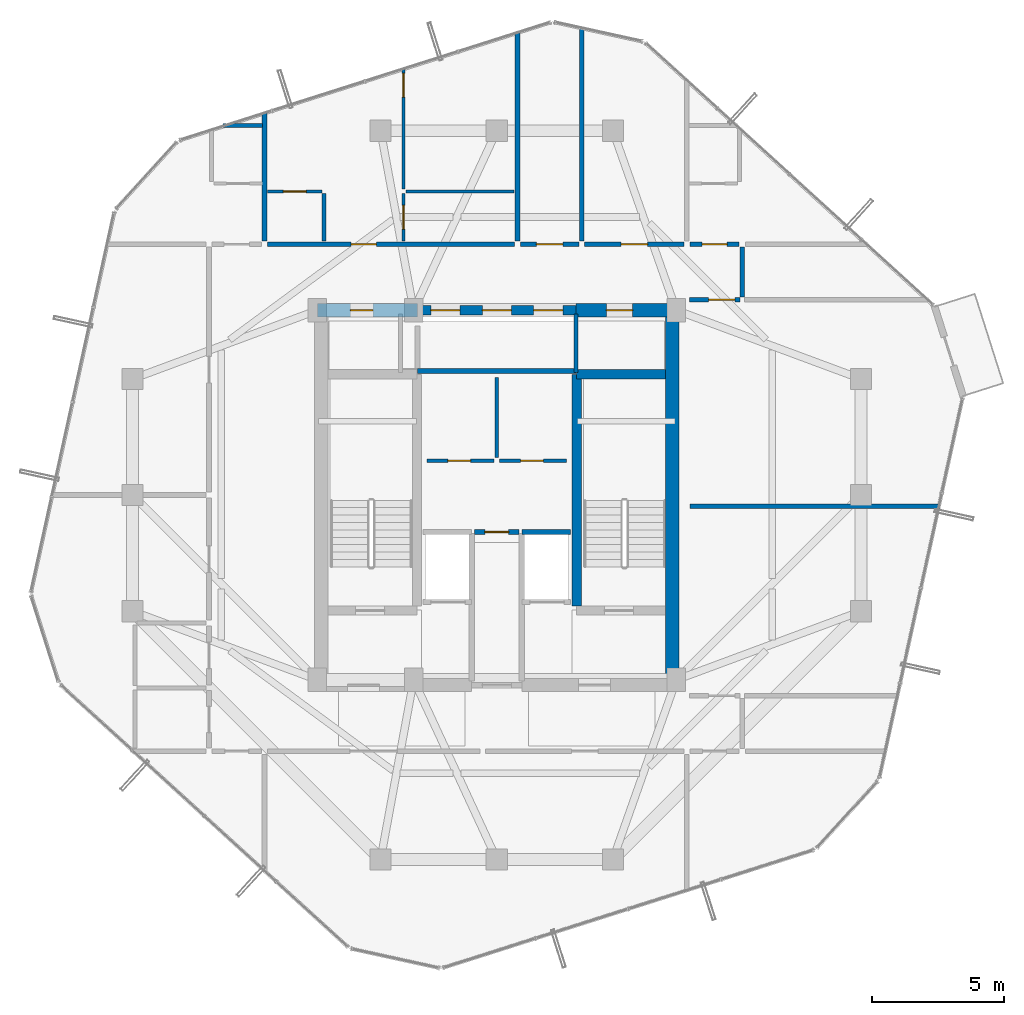
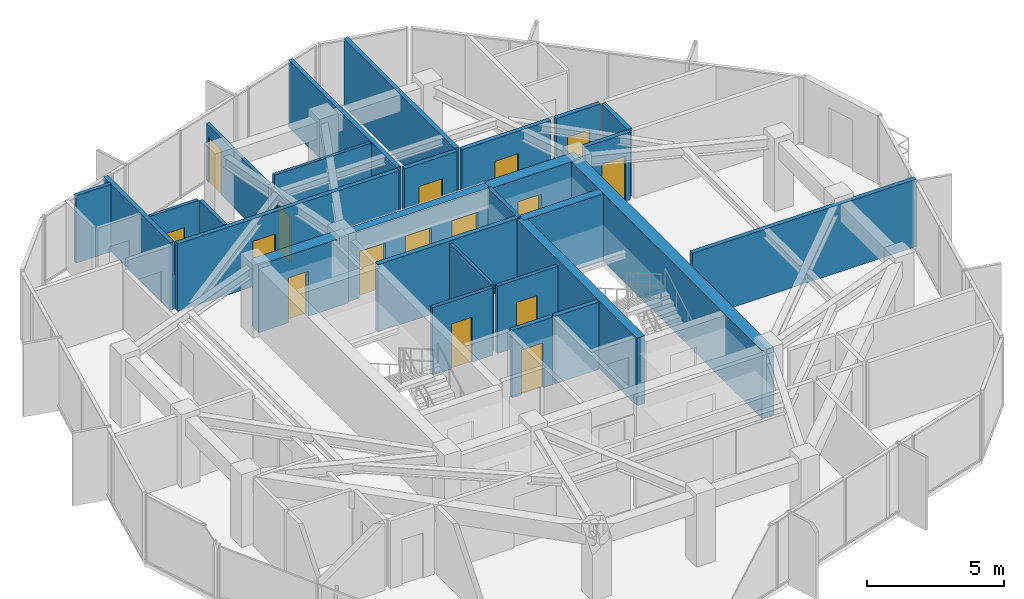
# One storey, part 25 of 28: 29 walls, 16 doors, 16 openings.
"""IFC4 building model written with IfcOpenShell, lengths in metres."""

from ifc_helpers import new_model, si_unit, direction, frame, frame_2d, origin, place, context, subcontext, project, spatial, rectangle, extrude, source, transform, mapped, material, layer, layer_set, type_object, element, fill, save


model = new_model("IFC4")

# Units and contexts
model_context = context("Model", 3, precision=1e-05, world=origin(), true_north=direction((0.0, 1.0)))
body_context = subcontext(model_context, "Body", "Model", "MODEL_VIEW")
ifc_project = project(units=[si_unit("LENGTHUNIT", "METRE"), si_unit("AREAUNIT", "SQUARE_METRE"), si_unit("VOLUMEUNIT", "CUBIC_METRE"), si_unit("PLANEANGLEUNIT", "RADIAN"), si_unit("MASSUNIT", "GRAM", prefix="KILO")], contexts=[model_context])

# Site, building, storey
site_placement = place(None, origin())
site = spatial("IfcSite", under=ifc_project, at=site_placement, CompositionType="ELEMENT")
building_placement = place(site_placement, origin())
building = spatial("IfcBuilding", under=site, at=building_placement, Name="Veraguas Prism Commons", CompositionType="ELEMENT")
storey_placement = place(building_placement, frame((0.0, 0.0, 251.25)))
storey = spatial("IfcBuildingStorey", under=building, at=storey_placement, Name="L71", CompositionType="ELEMENT", Elevation=251.25)

# Wall, openings, doors
ifc_material_1 = material(Name="Concrete C50/60", Category="concrete")
ifc_layer_1 = layer(ifc_material_1, 0.35009765625, Name="Core Internal Shear Wall Upper RC 350", Category="concrete")
ifc_layer_set_1 = layer_set([ifc_layer_1], Name="Concrete C50/60")
wall_type_1 = type_object("IfcWallType", Name="Core Internal Shear Wall Upper RC 350", PredefinedType="SHEAR", material=ifc_layer_set_1)
wall_1_placement = place(storey_placement, frame((21.0, 31.0, 0.0), z_axis=(0.0, 0.0, 1.0), x_axis=(1.0, 0.0, 0.0)))
wall_1 = element("IfcWall", 1, at=wall_1_placement, inside=storey, type_object=wall_type_1, Name="High-Rise Lift Bank Front Shear Wall L71", PredefinedType="SHEAR", context=body_context, shape_type="SweptSolid", body=[
    extrude(rectangle(XDim=6.0, YDim=0.35009765625, at=frame_2d((3.0, 0.0))), origin(), (0.0, 0.0, 1.0), 3.014892578125),
])
opening_1_placement = place(wall_1_placement, frame((0.5, 0.0, 0.0)))
opening_1 = element("IfcOpeningElement", 2, at=opening_1_placement, cuts=wall_1, Name="Opening LD-01", PredefinedType="OPENING", context=body_context, shape_type="SweptSolid", body=[
    extrude(rectangle(XDim=1.10009765625, YDim=2.080078125, at=frame_2d((0.550048828125, 1.0400390625))), frame((0.0, 0.18505859375, 0.0), z_axis=(0.0, -1.0, 0.0), x_axis=(1.0, 0.0, 0.0)), (0.0, 0.0, 1.0), 0.3701171875),
])
opening_2_placement = place(wall_1_placement, frame((2.449951171875, 0.0, 0.0)))
opening_2 = element("IfcOpeningElement", 3, at=opening_2_placement, cuts=wall_1, Name="Opening LD-01", PredefinedType="OPENING", context=body_context, shape_type="SweptSolid", body=[
    extrude(rectangle(XDim=1.10009765625, YDim=2.080078125, at=frame_2d((0.550048828125, 1.0400390625))), frame((0.0, 0.18505859375, 0.0), z_axis=(0.0, -1.0, 0.0), x_axis=(1.0, 0.0, 0.0)), (0.0, 0.0, 1.0), 0.3701171875),
])
opening_3_placement = place(wall_1_placement, frame((4.39990234375, 0.0, 0.0)))
opening_3 = element("IfcOpeningElement", 4, at=opening_3_placement, cuts=wall_1, Name="Opening LD-01", PredefinedType="OPENING", context=body_context, shape_type="SweptSolid", body=[
    extrude(rectangle(XDim=1.10009765625, YDim=2.080078125, at=frame_2d((0.550048828125, 1.0400390625))), frame((0.0, 0.18505859375, 0.0), z_axis=(0.0, -1.0, 0.0), x_axis=(1.0, 0.0, 0.0)), (0.0, 0.0, 1.0), 0.3701171875),
])
ifc_material_2 = material(Name="Stainless steel AISI 316", Category="steel")
door_type_1 = type_object("IfcDoorType", Name="Passenger Lift Sliding Landing Door 1100x2080", OperationType="NOTDEFINED", PredefinedType="DOOR", material=ifc_material_2)
shared_shape_1 = source(origin(), body_context, "Body", "SweptSolid", [
    extrude(rectangle(XDim=1.10009765625, YDim=2.080078125, at=frame_2d((0.550048828125, 1.0400390625))), frame((0.0, 0.02490234375, 0.0), z_axis=(0.0, -1.0, 0.0), x_axis=(1.0, 0.0, 0.0)), (0.0, 0.0, 1.0), 0.050048828125),
])
door_1_placement = place(opening_1_placement, origin())
door_1 = element("IfcDoor", 5, at=door_1_placement, inside=storey, type_object=door_type_1, Name="Sliding Landing Door PL-H1 L71", OperationType="SLIDING_TO_LEFT", OverallHeight=2.080078125, OverallWidth=1.10009765625, PredefinedType="DOOR", context=body_context, shape_type="MappedRepresentation", body=[
    mapped(shared_shape_1, transform((0.0, 0.0, 0.0), scale=1.0)),
])
fill(opening_1, door_1)
door_2_placement = place(opening_2_placement, origin())
door_2 = element("IfcDoor", 6, at=door_2_placement, inside=storey, type_object=door_type_1, Name="Sliding Landing Door PL-H2 L71", OperationType="SLIDING_TO_LEFT", OverallHeight=2.080078125, OverallWidth=1.10009765625, PredefinedType="DOOR", context=body_context, shape_type="MappedRepresentation", body=[
    mapped(shared_shape_1, transform((0.0, 0.0, 0.0), scale=1.0)),
])
fill(opening_2, door_2)
door_3_placement = place(opening_3_placement, origin())
door_3 = element("IfcDoor", 7, at=door_3_placement, inside=storey, type_object=door_type_1, Name="Sliding Landing Door PL-H3 L71", OperationType="SLIDING_TO_LEFT", OverallHeight=2.080078125, OverallWidth=1.10009765625, PredefinedType="DOOR", context=body_context, shape_type="MappedRepresentation", body=[
    mapped(shared_shape_1, transform((0.0, 0.0, 0.0), scale=1.0)),
])
fill(opening_3, door_3)

# Walls
wall_2_placement = place(storey_placement, frame((27.02490234375, 19.800048828125, 0.0), z_axis=(0.0, 0.0, 1.0), x_axis=(0.0, 1.0, 0.0)))
element("IfcWall", 8, at=wall_2_placement, inside=storey, type_object=wall_type_1, Name="Stair ST-02 Inner Shear Wall L71", PredefinedType="SHEAR", context=body_context, shape_type="SweptSolid", body=[
    extrude(rectangle(XDim=8.77490234375, YDim=0.35009765625, at=frame_2d((4.387451171875, 0.0))), origin(), (0.0, 0.0, 1.0), 3.014892578125),
])
wall_3_placement = place(storey_placement, frame((27.02490234375, 28.574951171875, 0.0), z_axis=(0.0, 0.0, 1.0), x_axis=(1.0, 0.0, 0.0)))
element("IfcWall", 9, at=wall_3_placement, inside=storey, type_object=wall_type_1, Name="Stair ST-02 North Shear Wall L71", PredefinedType="SHEAR", context=body_context, shape_type="SweptSolid", body=[
    extrude(rectangle(XDim=3.375, YDim=0.35009765625, at=frame_2d((1.6875, 0.0))), origin(), (0.0, 0.0, 1.0), 3.014892578125),
])
ifc_layer_2 = layer(ifc_material_1, 0.5, Name="Core Outer Shear Wall Upper RC 500", Category="concrete")
ifc_layer_set_2 = layer_set([ifc_layer_2], Name="Concrete C50/60")
wall_type_2 = type_object("IfcWallType", Name="Core Outer Shear Wall Upper RC 500", PredefinedType="SHEAR", material=ifc_layer_set_2)
wall_4_placement = place(storey_placement, frame((30.64990234375, 16.800048828125, 0.0), z_axis=(0.0, 0.0, 1.0), x_axis=(0.0, 1.0, 0.0)))
element("IfcWall", 10, at=wall_4_placement, inside=storey, type_object=wall_type_2, Name="Central Core East Shear Wall L71", PredefinedType="SHEAR", context=body_context, shape_type="SweptSolid", body=[
    extrude(rectangle(XDim=14.199951171875, YDim=0.5, at=frame_2d((7.10009765625, 0.0))), origin(), (0.0, 0.0, 1.0), 3.014892578125),
])

# Wall, opening, door
wall_5_placement = place(storey_placement, frame((17.199951171875, 31.0, 0.0), z_axis=(0.0, 0.0, 1.0), x_axis=(1.0, 0.0, 0.0)))
wall_5 = element("IfcWall", 11, at=wall_5_placement, inside=storey, type_object=wall_type_2, Name="Central Core North-West Shear Wall L71", PredefinedType="SHEAR", context=body_context, shape_type="SweptSolid", body=[
    extrude(rectangle(XDim=3.800048828125, YDim=0.5, at=frame_2d((1.89990234375, 0.0))), origin(), (0.0, 0.0, 1.0), 3.014892578125),
])
opening_4_placement = place(wall_5_placement, frame((1.25, 0.0, 0.0)))
opening_4 = element("IfcOpeningElement", 12, at=opening_4_placement, cuts=wall_5, Name="Opening DR-12", PredefinedType="OPENING", context=body_context, shape_type="SweptSolid", body=[
    extrude(rectangle(XDim=0.860107421875, YDim=2.010009765625, at=frame_2d((0.43017578125, 1.0048828125))), frame((0.0, 0.260009765625, 0.0), z_axis=(0.0, -1.0, 0.0), x_axis=(1.0, 0.0, 0.0)), (0.0, 0.0, 1.0), 0.52001953125),
])
ifc_material_3 = material(Name="Steel fire-rated door assembly", Category="steel")
door_type_2 = type_object("IfcDoorType", Name="Core WC Fire Door 860x2010", OperationType="NOTDEFINED", PredefinedType="DOOR", material=ifc_material_3)
shared_shape_2 = source(origin(), body_context, "Body", "SweptSolid", [
    extrude(rectangle(XDim=0.860107421875, YDim=2.010009765625, at=frame_2d((0.43017578125, 1.0048828125))), frame((0.0, 0.02490234375, 0.0), z_axis=(0.0, -1.0, 0.0), x_axis=(1.0, 0.0, 0.0)), (0.0, 0.0, 1.0), 0.050048828125),
])
door_4_placement = place(opening_4_placement, origin())
door_4 = element("IfcDoor", 13, at=door_4_placement, inside=storey, type_object=door_type_2, Name="Core NW Service Door L71", OperationType="SINGLE_SWING_RIGHT", OverallHeight=2.010009765625, OverallWidth=0.860107421875, PredefinedType="DOOR", context=body_context, shape_type="MappedRepresentation", body=[
    mapped(shared_shape_2, transform((0.0, 0.0, 0.0), scale=1.0)),
])
fill(opening_4, door_4)

wall_6_placement = place(storey_placement, frame((27.0, 31.0, 0.0), z_axis=(0.0, 0.0, 1.0), x_axis=(1.0, 0.0, 0.0)))
wall_6 = element("IfcWall", 14, at=wall_6_placement, inside=storey, type_object=wall_type_2, Name="Central Core North-East Shear Wall L71", PredefinedType="SHEAR", context=body_context, shape_type="SweptSolid", body=[
    extrude(rectangle(XDim=3.800048828125, YDim=0.5, at=frame_2d((1.89990234375, 0.0))), origin(), (0.0, 0.0, 1.0), 3.014892578125),
])
opening_5_placement = place(wall_6_placement, frame((1.14990234375, 0.0, 0.0)))
opening_5 = element("IfcOpeningElement", 15, at=opening_5_placement, cuts=wall_6, Name="Opening DR-13", PredefinedType="OPENING", context=body_context, shape_type="SweptSolid", body=[
    extrude(rectangle(XDim=1.0, YDim=2.010009765625, at=frame_2d((0.5, 1.0048828125))), frame((0.0, 0.260009765625, 0.0), z_axis=(0.0, -1.0, 0.0), x_axis=(1.0, 0.0, 0.0)), (0.0, 0.0, 1.0), 0.52001953125),
])
door_type_3 = type_object("IfcDoorType", Name="Core Accessible WC and Clinic Fire Door 1000x2010", OperationType="NOTDEFINED", PredefinedType="DOOR", material=ifc_material_3)
shared_shape_3 = source(origin(), body_context, "Body", "SweptSolid", [
    extrude(rectangle(XDim=1.0, YDim=2.010009765625, at=frame_2d((0.5, 1.0048828125))), frame((0.0, 0.02490234375, 0.0), z_axis=(0.0, -1.0, 0.0), x_axis=(1.0, 0.0, 0.0)), (0.0, 0.0, 1.0), 0.050048828125),
])
door_5_placement = place(opening_5_placement, origin())
door_5 = element("IfcDoor", 16, at=door_5_placement, inside=storey, type_object=door_type_3, Name="Core NE Pantry Door L71", OperationType="SINGLE_SWING_LEFT", OverallHeight=2.010009765625, OverallWidth=1.0, PredefinedType="DOOR", context=body_context, shape_type="MappedRepresentation", body=[
    mapped(shared_shape_3, transform((0.0, 0.0, 0.0), scale=1.0)),
])
fill(opening_5, door_5)

ifc_material_4 = material(Name="Autoclaved aerated masonry block 10 MPa", Category="masonry")
ifc_layer_3 = layer(ifc_material_4, 0.179931640625, Name="Corridor and Inter-Tenancy Partition 180", Category="masonry")
ifc_layer_set_3 = layer_set([ifc_layer_3], Name="Autoclaved aerated masonry block 10 MPa")
wall_type_3 = type_object("IfcWallType", Name="Corridor and Inter-Tenancy Partition 180", PredefinedType="PARTITIONING", material=ifc_layer_set_3)
wall_7_placement = place(storey_placement, frame((23.14990234375, 22.60009765625, 0.0), z_axis=(0.0, 0.0, 1.0), x_axis=(1.0, 0.0, 0.0)))
wall_7 = element("IfcWall", 17, at=wall_7_placement, inside=storey, type_object=wall_type_3, Name="Core Suite Entry Wall L71", PredefinedType="PARTITIONING", context=body_context, shape_type="SweptSolid", body=[
    extrude(rectangle(XDim=1.7001953125, YDim=0.179931640625, at=frame_2d((0.85009765625, 0.0))), origin(), (0.0, 0.0, 1.0), 3.014892578125),
])
opening_6_placement = place(wall_7_placement, frame((0.39990234375, 0.0, 0.0)))
opening_6 = element("IfcOpeningElement", 18, at=opening_6_placement, cuts=wall_7, Name="Opening DR-14", PredefinedType="OPENING", context=body_context, shape_type="SweptSolid", body=[
    extrude(rectangle(XDim=0.89990234375, YDim=2.010009765625, at=frame_2d((0.449951171875, 1.0048828125))), frame((0.0, 0.099853515625, 0.0), z_axis=(0.0, -1.0, 0.0), x_axis=(1.0, 0.0, 0.0)), (0.0, 0.0, 1.0), 0.199951171875),
])
door_type_4 = type_object("IfcDoorType", Name="Core Service Room Fire Door 900x2010", OperationType="NOTDEFINED", PredefinedType="DOOR", material=ifc_material_3)
shared_shape_4 = source(origin(), body_context, "Body", "SweptSolid", [
    extrude(rectangle(XDim=0.89990234375, YDim=2.010009765625, at=frame_2d((0.449951171875, 1.0048828125))), frame((0.0, 0.02490234375, 0.0), z_axis=(0.0, -1.0, 0.0), x_axis=(1.0, 0.0, 0.0)), (0.0, 0.0, 1.0), 0.050048828125),
])
door_6_placement = place(opening_6_placement, origin())
door_6 = element("IfcDoor", 19, at=door_6_placement, inside=storey, type_object=door_type_4, Name="Core Suite Entry Door L71", OperationType="SINGLE_SWING_RIGHT", OverallHeight=2.010009765625, OverallWidth=0.89990234375, PredefinedType="DOOR", context=body_context, shape_type="MappedRepresentation", body=[
    mapped(shared_shape_4, transform((0.0, 0.0, 0.0), scale=1.0)),
])
fill(opening_6, door_6)

# Wall
wall_8_placement = place(storey_placement, frame((15.199951171875, 33.6201171875, 0.0), z_axis=(0.0, 0.0, 1.0), x_axis=(0.0, 1.0, 0.0)))
element("IfcWall", 20, at=wall_8_placement, inside=storey, type_object=wall_type_3, Name="WL-L71-PT005", PredefinedType="PARTITIONING", context=body_context, shape_type="SweptSolid", body=[
    extrude(rectangle(XDim=4.87939453125, YDim=0.179931640625, at=frame_2d((2.439697265625, 0.0))), origin(), (0.0, 0.0, 1.0), 3.014892578125),
])

# Wall, opening, door
wall_9_placement = place(storey_placement, frame((15.31005859375, 33.5, 0.0), z_axis=(0.0, 0.0, 1.0), x_axis=(1.0, 0.0, 0.0)))
wall_9 = element("IfcWall", 21, at=wall_9_placement, inside=storey, type_object=wall_type_3, Name="WL-L71-PT007", PredefinedType="PARTITIONING", context=body_context, shape_type="SweptSolid", body=[
    extrude(rectangle(XDim=9.35986328125, YDim=0.179931640625, at=frame_2d((4.679931640625, 0.0))), origin(), (0.0, 0.0, 1.0), 3.014892578125),
])
opening_7_placement = place(wall_9_placement, frame((3.174560546875, 0.0, 0.0)))
opening_7 = element("IfcOpeningElement", 22, at=opening_7_placement, cuts=wall_9, Name="Opening DR-01", PredefinedType="OPENING", context=body_context, shape_type="SweptSolid", body=[
    extrude(rectangle(XDim=0.949951171875, YDim=2.02001953125, at=frame_2d((0.47509765625, 1.010009765625))), frame((0.0, 0.099853515625, 0.0), z_axis=(0.0, -1.0, 0.0), x_axis=(1.0, 0.0, 0.0)), (0.0, 0.0, 1.0), 0.199951171875),
])
ifc_material_5 = material(Name="Anodised aluminium EN AW-6063 T6", Category="aluminium")
door_type_5 = type_object("IfcDoorType", Name="Apartment Entrance Fire Door 950x2020", OperationType="NOTDEFINED", PredefinedType="DOOR", material=ifc_material_5)
shared_shape_5 = source(origin(), body_context, "Body", "SweptSolid", [
    extrude(rectangle(XDim=0.949951171875, YDim=2.02001953125, at=frame_2d((0.47509765625, 1.010009765625))), frame((0.0, 0.02490234375, 0.0), z_axis=(0.0, -1.0, 0.0), x_axis=(1.0, 0.0, 0.0)), (0.0, 0.0, 1.0), 0.050048828125),
])
door_7_placement = place(opening_7_placement, origin())
door_7 = element("IfcDoor", 23, at=door_7_placement, inside=storey, type_object=door_type_5, Name="Flat 71A Entrance Door", OperationType="SINGLE_SWING_LEFT", OverallHeight=2.02001953125, OverallWidth=0.949951171875, PredefinedType="DOOR", context=body_context, shape_type="MappedRepresentation", body=[
    mapped(shared_shape_5, transform((0.0, 0.0, 0.0), scale=1.0)),
])
fill(opening_7, door_7)

# Wall
wall_10_placement = place(storey_placement, frame((24.780029296875, 33.6201171875, 0.0), z_axis=(0.0, 0.0, 1.0), x_axis=(0.0, 1.0, 0.0)))
element("IfcWall", 24, at=wall_10_placement, inside=storey, type_object=wall_type_3, Name="WL-L71-PT013", PredefinedType="PARTITIONING", context=body_context, shape_type="SweptSolid", body=[
    extrude(rectangle(XDim=7.92578125, YDim=0.179931640625, at=frame_2d((3.962890625, 0.0))), origin(), (0.0, 0.0, 1.0), 3.014892578125),
])

# Wall, opening, door
wall_11_placement = place(storey_placement, frame((24.889892578125, 33.5, 0.0), z_axis=(0.0, 0.0, 1.0), x_axis=(1.0, 0.0, 0.0)))
wall_11 = element("IfcWall", 25, at=wall_11_placement, inside=storey, type_object=wall_type_3, Name="WL-L71-PT014", PredefinedType="PARTITIONING", context=body_context, shape_type="SweptSolid", body=[
    extrude(rectangle(XDim=2.22021484375, YDim=0.179931640625, at=frame_2d((1.110107421875, 0.0))), origin(), (0.0, 0.0, 1.0), 3.014892578125),
])
opening_8_placement = place(wall_11_placement, frame((0.610107421875, 0.0, 0.0)))
opening_8 = element("IfcOpeningElement", 26, at=opening_8_placement, cuts=wall_11, Name="Opening DR-13", PredefinedType="OPENING", context=body_context, shape_type="SweptSolid", body=[
    extrude(rectangle(XDim=1.0, YDim=2.010009765625, at=frame_2d((0.5, 1.0048828125))), frame((0.0, 0.099853515625, 0.0), z_axis=(0.0, -1.0, 0.0), x_axis=(1.0, 0.0, 0.0)), (0.0, 0.0, 1.0), 0.199951171875),
])
door_8_placement = place(opening_8_placement, origin())
door_8 = element("IfcDoor", 27, at=door_8_placement, inside=storey, type_object=door_type_3, Name="Residents Study Room Door", OperationType="SINGLE_SWING_LEFT", OverallHeight=2.010009765625, OverallWidth=1.0, PredefinedType="DOOR", context=body_context, shape_type="MappedRepresentation", body=[
    mapped(shared_shape_3, transform((0.0, 0.0, 0.0), scale=1.0)),
])
fill(opening_8, door_8)

wall_12_placement = place(storey_placement, frame((27.330078125, 33.5, 0.0), z_axis=(0.0, 0.0, 1.0), x_axis=(1.0, 0.0, 0.0)))
wall_12 = element("IfcWall", 28, at=wall_12_placement, inside=storey, type_object=wall_type_3, Name="WL-L71-PT015", PredefinedType="PARTITIONING", context=body_context, shape_type="SweptSolid", body=[
    extrude(rectangle(XDim=3.760009765625, YDim=0.179931640625, at=frame_2d((1.8798828125, 0.0))), origin(), (0.0, 0.0, 1.0), 3.014892578125),
])
opening_9_placement = place(wall_12_placement, frame((1.3798828125, 0.0, 0.0)))
opening_9 = element("IfcOpeningElement", 29, at=opening_9_placement, cuts=wall_12, Name="Opening DR-13", PredefinedType="OPENING", context=body_context, shape_type="SweptSolid", body=[
    extrude(rectangle(XDim=1.0, YDim=2.010009765625, at=frame_2d((0.5, 1.0048828125))), frame((0.0, 0.099853515625, 0.0), z_axis=(0.0, -1.0, 0.0), x_axis=(1.0, 0.0, 0.0)), (0.0, 0.0, 1.0), 0.199951171875),
])
door_9_placement = place(opening_9_placement, origin())
door_9 = element("IfcDoor", 30, at=door_9_placement, inside=storey, type_object=door_type_3, Name="Co-op Store N Door", OperationType="SINGLE_SWING_RIGHT", OverallHeight=2.010009765625, OverallWidth=1.0, PredefinedType="DOOR", context=body_context, shape_type="MappedRepresentation", body=[
    mapped(shared_shape_3, transform((0.0, 0.0, 0.0), scale=1.0)),
])
fill(opening_9, door_9)

# Walls
wall_13_placement = place(storey_placement, frame((27.219970703125, 33.6201171875, 0.0), z_axis=(0.0, 0.0, 1.0), x_axis=(0.0, 1.0, 0.0)))
element("IfcWall", 31, at=wall_13_placement, inside=storey, type_object=wall_type_3, Name="WL-L71-PT016", PredefinedType="PARTITIONING", context=body_context, shape_type="SweptSolid", body=[
    extrude(rectangle(XDim=8.10302734375, YDim=0.179931640625, at=frame_2d((4.051513671875, 0.0))), origin(), (0.0, 0.0, 1.0), 3.014892578125),
])
wall_14_placement = place(storey_placement, frame((31.320068359375, 23.574951171875, 0.0), z_axis=(0.0, 0.0, 1.0), x_axis=(1.0, 0.0, 0.0)))
element("IfcWall", 32, at=wall_14_placement, inside=storey, type_object=wall_type_3, Name="WL-L71-PT028", PredefinedType="PARTITIONING", context=body_context, shape_type="SweptSolid", body=[
    extrude(rectangle(XDim=9.46240234375, YDim=0.179931640625, at=frame_2d((4.731201171875, 0.0))), origin(), (0.0, 0.0, 1.0), 3.014892578125),
])
wall_15_placement = place(storey_placement, frame((33.300048828125, 31.5, 0.0), z_axis=(0.0, 0.0, 1.0), x_axis=(0.0, 1.0, 0.0)))
element("IfcWall", 33, at=wall_15_placement, inside=storey, type_object=wall_type_3, Name="WL-L71-PT030", PredefinedType="PARTITIONING", context=body_context, shape_type="SweptSolid", body=[
    extrude(rectangle(XDim=1.89990234375, YDim=0.179931640625, at=frame_2d((0.949951171875, 0.0))), origin(), (0.0, 0.0, 1.0), 3.014892578125),
])

# Wall, opening, door
wall_16_placement = place(storey_placement, frame((31.300048828125, 31.39990234375, 0.0), z_axis=(0.0, 0.0, 1.0), x_axis=(1.0, 0.0, 0.0)))
wall_16 = element("IfcWall", 34, at=wall_16_placement, inside=storey, type_object=wall_type_3, Name="WL-L71-PT033", PredefinedType="PARTITIONING", context=body_context, shape_type="SweptSolid", body=[
    extrude(rectangle(XDim=1.919921875, YDim=0.179931640625, at=frame_2d((0.9599609375, 0.0))), origin(), (0.0, 0.0, 1.0), 3.014892578125),
])
opening_10_placement = place(wall_16_placement, frame((0.719970703125, 0.0, 0.0)))
opening_10 = element("IfcOpeningElement", 35, at=opening_10_placement, cuts=wall_16, Name="Opening DR-13", PredefinedType="OPENING", context=body_context, shape_type="SweptSolid", body=[
    extrude(rectangle(XDim=1.0, YDim=2.010009765625, at=frame_2d((0.5, 1.0048828125))), frame((0.0, 0.099853515625, 0.0), z_axis=(0.0, -1.0, 0.0), x_axis=(1.0, 0.0, 0.0)), (0.0, 0.0, 1.0), 0.199951171875),
])
door_10_placement = place(opening_10_placement, origin())
door_10 = element("IfcDoor", 36, at=door_10_placement, inside=storey, type_object=door_type_3, Name="Study Salon Door L71", OperationType="SINGLE_SWING_RIGHT", OverallHeight=2.010009765625, OverallWidth=1.0, PredefinedType="DOOR", context=body_context, shape_type="MappedRepresentation", body=[
    mapped(shared_shape_3, transform((0.0, 0.0, 0.0), scale=1.0)),
])
fill(opening_10, door_10)

wall_17_placement = place(storey_placement, frame((31.320068359375, 33.5, 0.0), z_axis=(0.0, 0.0, 1.0), x_axis=(1.0, 0.0, 0.0)))
wall_17 = element("IfcWall", 37, at=wall_17_placement, inside=storey, type_object=wall_type_3, Name="WL-L71-PT043", PredefinedType="PARTITIONING", context=body_context, shape_type="SweptSolid", body=[
    extrude(rectangle(XDim=1.85986328125, YDim=0.179931640625, at=frame_2d((0.929931640625, 0.0))), origin(), (0.0, 0.0, 1.0), 3.014892578125),
])
opening_11_placement = place(wall_17_placement, frame((0.455078125, 0.0, 0.0)))
opening_11 = element("IfcOpeningElement", 38, at=opening_11_placement, cuts=wall_17, Name="Opening DR-01", PredefinedType="OPENING", context=body_context, shape_type="SweptSolid", body=[
    extrude(rectangle(XDim=0.949951171875, YDim=2.02001953125, at=frame_2d((0.47509765625, 1.010009765625))), frame((0.0, 0.099853515625, 0.0), z_axis=(0.0, -1.0, 0.0), x_axis=(1.0, 0.0, 0.0)), (0.0, 0.0, 1.0), 0.199951171875),
])
door_11_placement = place(opening_11_placement, origin())
door_11 = element("IfcDoor", 39, at=door_11_placement, inside=storey, type_object=door_type_5, Name="Studio 71C Entrance Door", OperationType="SINGLE_SWING_LEFT", OverallHeight=2.02001953125, OverallWidth=0.949951171875, PredefinedType="DOOR", context=body_context, shape_type="MappedRepresentation", body=[
    mapped(shared_shape_5, transform((0.0, 0.0, 0.0), scale=1.0)),
])
fill(opening_11, door_11)

# Wall
ifc_material_6 = material(Name="Lightweight acoustic gypsum board")
ifc_layer_4 = layer(ifc_material_6, 0.125, Name="Internal Apartment Room Partition 125")
ifc_layer_set_4 = layer_set([ifc_layer_4], Name="Lightweight acoustic gypsum board")
wall_type_4 = type_object("IfcWallType", Name="Internal Apartment Room Partition 125", PredefinedType="PARTITIONING", material=ifc_layer_set_4)
wall_18_placement = place(storey_placement, frame((24.0, 25.419921875, 0.0), z_axis=(0.0, 0.0, 1.0), x_axis=(0.0, 1.0, 0.0)))
element("IfcWall", 40, at=wall_18_placement, inside=storey, type_object=wall_type_4, Name="WL-L71-FRWVM", PredefinedType="PARTITIONING", context=body_context, shape_type="SweptSolid", body=[
    extrude(rectangle(XDim=3.030029296875, YDim=0.125, at=frame_2d((1.51513671875, 0.0))), origin(), (0.0, 0.0, 1.0), 3.014892578125),
])

# Wall, opening, door
wall_19_placement = place(storey_placement, frame((15.320068359375, 35.5, 0.0), z_axis=(0.0, 0.0, 1.0), x_axis=(1.0, 0.0, 0.0)))
wall_19 = element("IfcWall", 41, at=wall_19_placement, inside=storey, type_object=wall_type_4, Name="WL-L71-PT009", PredefinedType="PARTITIONING", context=body_context, shape_type="SweptSolid", body=[
    extrude(rectangle(XDim=2.050048828125, YDim=0.125, at=frame_2d((1.02490234375, 0.0))), origin(), (0.0, 0.0, 1.0), 3.014892578125),
])
opening_12_placement = place(wall_19_placement, frame((0.594970703125, 0.0, 0.0)))
opening_12 = element("IfcOpeningElement", 42, at=opening_12_placement, cuts=wall_19, Name="Opening DR-03", PredefinedType="OPENING", context=body_context, shape_type="SweptSolid", body=[
    extrude(rectangle(XDim=0.860107421875, YDim=2.010009765625, at=frame_2d((0.43017578125, 1.0048828125))), frame((0.0, 0.072509765625, 0.0), z_axis=(0.0, -1.0, 0.0), x_axis=(1.0, 0.0, 0.0)), (0.0, 0.0, 1.0), 0.14501953125),
])
ifc_material_7 = material(Name="Timber moisture-resistant leaf", Category="wood")
door_type_6 = type_object("IfcDoorType", Name="Internal Bathroom Door 860x2010", OperationType="NOTDEFINED", PredefinedType="DOOR", material=ifc_material_7)
door_12_placement = place(opening_12_placement, origin())
door_12 = element("IfcDoor", 43, at=door_12_placement, inside=storey, type_object=door_type_6, Name="Flat 71A Bathroom Door", OperationType="SINGLE_SWING_RIGHT", OverallHeight=2.010009765625, OverallWidth=0.860107421875, PredefinedType="DOOR", context=body_context, shape_type="MappedRepresentation", body=[
    mapped(shared_shape_2, transform((0.0, 0.0, 0.0), scale=1.0)),
])
fill(opening_12, door_12)

wall_20_placement = place(storey_placement, frame((20.468994140625, 33.6201171875, 0.0), z_axis=(0.0, 0.0, 1.0), x_axis=(0.0, 1.0, 0.0)))
wall_20 = element("IfcWall", 44, at=wall_20_placement, inside=storey, type_object=wall_type_4, Name="WL-L71-PT010", PredefinedType="PARTITIONING", context=body_context, shape_type="SweptSolid", body=[
    extrude(rectangle(XDim=1.7998046875, YDim=0.125, at=frame_2d((0.89990234375, 0.0))), origin(), (0.0, 0.0, 1.0), 2.54296875),
])
opening_13_placement = place(wall_20_placement, frame((0.449951171875, 0.0, 0.0)))
opening_13 = element("IfcOpeningElement", 45, at=opening_13_placement, cuts=wall_20, Name="Opening DR-02", PredefinedType="OPENING", context=body_context, shape_type="SweptSolid", body=[
    extrude(rectangle(XDim=0.89990234375, YDim=2.010009765625, at=frame_2d((0.449951171875, 1.0048828125))), frame((0.0, 0.072509765625, 0.0), z_axis=(0.0, -1.0, 0.0), x_axis=(1.0, 0.0, 0.0)), (0.0, 0.0, 1.0), 0.14501953125),
])
ifc_material_8 = material(Name="Timber solid core hardwood", Category="wood")
door_type_7 = type_object("IfcDoorType", Name="Internal Habitable Room Door 900x2010", OperationType="NOTDEFINED", PredefinedType="DOOR", material=ifc_material_8)
door_13_placement = place(opening_13_placement, origin())
door_13 = element("IfcDoor", 46, at=door_13_placement, inside=storey, type_object=door_type_7, Name="Flat 71A Kitchen Door", OperationType="SINGLE_SWING_LEFT", OverallHeight=2.010009765625, OverallWidth=0.89990234375, PredefinedType="DOOR", context=body_context, shape_type="MappedRepresentation", body=[
    mapped(shared_shape_4, transform((0.0, 0.0, 0.0), scale=1.0)),
])
fill(opening_13, door_13)

# Wall
wall_21_placement = place(storey_placement, frame((20.569091796875, 35.5, 0.0), z_axis=(0.0, 0.0, 1.0), x_axis=(1.0, 0.0, 0.0)))
element("IfcWall", 47, at=wall_21_placement, inside=storey, type_object=wall_type_4, Name="WL-L71-PT011", PredefinedType="PARTITIONING", context=body_context, shape_type="SweptSolid", body=[
    extrude(rectangle(XDim=4.0908203125, YDim=0.125, at=frame_2d((2.04541015625, 0.0))), origin(), (0.0, 0.0, 1.0), 3.014892578125),
])

# Wall, opening, door
wall_22_placement = place(storey_placement, frame((20.468994140625, 35.60009765625, 0.0), z_axis=(0.0, 0.0, 1.0), x_axis=(0.0, 1.0, 0.0)))
wall_22 = element("IfcWall", 48, at=wall_22_placement, inside=storey, type_object=wall_type_4, Name="WL-L71-PT012", PredefinedType="PARTITIONING", context=body_context, shape_type="SweptSolid", body=[
    extrude(rectangle(XDim=4.574951171875, YDim=0.125, at=frame_2d((2.28759765625, 0.0))), origin(), (0.0, 0.0, 1.0), 2.54296875),
])
opening_14_placement = place(wall_22_placement, frame((3.47509765625, 0.0, 0.0)))
opening_14 = element("IfcOpeningElement", 49, at=opening_14_placement, cuts=wall_22, Name="Opening DR-02", PredefinedType="OPENING", context=body_context, shape_type="SweptSolid", body=[
    extrude(rectangle(XDim=0.89990234375, YDim=2.010009765625, at=frame_2d((0.449951171875, 1.0048828125))), frame((0.0, 0.072509765625, 0.0), z_axis=(0.0, -1.0, 0.0), x_axis=(1.0, 0.0, 0.0)), (0.0, 0.0, 1.0), 0.14501953125),
])
door_14_placement = place(opening_14_placement, origin())
door_14 = element("IfcDoor", 50, at=door_14_placement, inside=storey, type_object=door_type_7, Name="Flat 71A Bedroom 1 Door", OperationType="SINGLE_SWING_RIGHT", OverallHeight=2.010009765625, OverallWidth=0.89990234375, PredefinedType="DOOR", context=body_context, shape_type="MappedRepresentation", body=[
    mapped(shared_shape_4, transform((0.0, 0.0, 0.0), scale=1.0)),
])
fill(opening_14, door_14)

# Walls
ifc_layer_5 = layer(ifc_material_4, 0.199951171875, Name="Rated Shaft and Lobby Block Wall 200", Category="masonry")
ifc_layer_set_5 = layer_set([ifc_layer_5], Name="Autoclaved aerated masonry block 10 MPa")
wall_type_5 = type_object("IfcWallType", Name="Rated Shaft and Lobby Block Wall 200", PredefinedType="SOLIDWALL", material=ifc_layer_set_5)
wall_23_placement = place(storey_placement, frame((24.949951171875, 22.60009765625, 0.0), z_axis=(0.0, 0.0, 1.0), x_axis=(1.0, 0.0, 0.0)))
element("IfcWall", 51, at=wall_23_placement, inside=storey, type_object=wall_type_5, Name="Firefighting Lift FFL-2 Rear Wall L71", PredefinedType="SOLIDWALL", context=body_context, shape_type="SweptSolid", body=[
    extrude(rectangle(XDim=1.85009765625, YDim=0.199951171875, at=frame_2d((0.925048828125, 0.0))), origin(), (0.0, 0.0, 1.0), 3.014892578125),
])
wall_24_placement = place(storey_placement, frame((21.0, 28.699951171875, 0.0), z_axis=(0.0, 0.0, 1.0), x_axis=(1.0, 0.0, 0.0)))
element("IfcWall", 52, at=wall_24_placement, inside=storey, type_object=wall_type_5, Name="High-Rise Lift Bank Rear Shaft Wall L71", PredefinedType="SOLIDWALL", context=body_context, shape_type="SweptSolid", body=[
    extrude(rectangle(XDim=6.0, YDim=0.199951171875, at=frame_2d((3.0, 0.0))), origin(), (0.0, 0.0, 1.0), 3.014892578125),
])
ifc_layer_6 = layer(ifc_material_6, 0.14990234375, Name="Wet Room and Clinic Acoustic Partition 150")
ifc_layer_set_6 = layer_set([ifc_layer_6], Name="Lightweight acoustic gypsum board")
wall_type_6 = type_object("IfcWallType", Name="Wet Room and Clinic Acoustic Partition 150", PredefinedType="PARTITIONING", material=ifc_layer_set_6)
wall_25_placement = place(storey_placement, frame((27.0, 28.64990234375, 0.0), z_axis=(0.0, 0.0, 1.0), x_axis=(0.0, 1.0, 0.0)))
element("IfcWall", 53, at=wall_25_placement, inside=storey, type_object=wall_type_6, Name="Core NE Service Inner Wall L71", PredefinedType="PARTITIONING", context=body_context, shape_type="SweptSolid", body=[
    extrude(rectangle(XDim=2.2001953125, YDim=0.14990234375, at=frame_2d((1.10009765625, 0.0))), origin(), (0.0, 0.0, 1.0), 3.014892578125),
])

# Wall, opening, door
wall_26_placement = place(storey_placement, frame((21.35009765625, 25.300048828125, 0.0), z_axis=(0.0, 0.0, 1.0), x_axis=(1.0, 0.0, 0.0)))
wall_26 = element("IfcWall", 54, at=wall_26_placement, inside=storey, type_object=wall_type_6, Name="WL-L71-FRWH1", PredefinedType="PARTITIONING", context=body_context, shape_type="SweptSolid", body=[
    extrude(rectangle(XDim=2.5498046875, YDim=0.14990234375, at=frame_2d((1.27490234375, 0.0))), origin(), (0.0, 0.0, 1.0), 3.014892578125),
])
opening_15_placement = place(wall_26_placement, frame((0.800048828125, 0.0, 0.0)))
opening_15 = element("IfcOpeningElement", 55, at=opening_15_placement, cuts=wall_26, Name="Opening DR-12", PredefinedType="OPENING", context=body_context, shape_type="SweptSolid", body=[
    extrude(rectangle(XDim=0.860107421875, YDim=2.010009765625, at=frame_2d((0.43017578125, 1.0048828125))), frame((0.0, 0.0849609375, 0.0), z_axis=(0.0, -1.0, 0.0), x_axis=(1.0, 0.0, 0.0)), (0.0, 0.0, 1.0), 0.169921875),
])
door_15_placement = place(opening_15_placement, origin())
door_15 = element("IfcDoor", 56, at=door_15_placement, inside=storey, type_object=door_type_2, Name="Quiet Study Door L71", OperationType="SINGLE_SWING_LEFT", OverallHeight=2.010009765625, OverallWidth=0.860107421875, PredefinedType="DOOR", context=body_context, shape_type="MappedRepresentation", body=[
    mapped(shared_shape_2, transform((0.0, 0.0, 0.0), scale=1.0)),
])
fill(opening_15, door_15)

wall_27_placement = place(storey_placement, frame((24.10009765625, 25.300048828125, 0.0), z_axis=(0.0, 0.0, 1.0), x_axis=(1.0, 0.0, 0.0)))
wall_27 = element("IfcWall", 57, at=wall_27_placement, inside=storey, type_object=wall_type_6, Name="WL-L71-FRWH2", PredefinedType="PARTITIONING", context=body_context, shape_type="SweptSolid", body=[
    extrude(rectangle(XDim=2.5498046875, YDim=0.14990234375, at=frame_2d((1.27490234375, 0.0))), origin(), (0.0, 0.0, 1.0), 3.014892578125),
])
opening_16_placement = place(wall_27_placement, frame((0.800048828125, 0.0, 0.0)))
opening_16 = element("IfcOpeningElement", 58, at=opening_16_placement, cuts=wall_27, Name="Opening DR-12", PredefinedType="OPENING", context=body_context, shape_type="SweptSolid", body=[
    extrude(rectangle(XDim=0.860107421875, YDim=2.010009765625, at=frame_2d((0.43017578125, 1.0048828125))), frame((0.0, 0.0849609375, 0.0), z_axis=(0.0, -1.0, 0.0), x_axis=(1.0, 0.0, 0.0)), (0.0, 0.0, 1.0), 0.169921875),
])
door_16_placement = place(opening_16_placement, origin())
door_16 = element("IfcDoor", 59, at=door_16_placement, inside=storey, type_object=door_type_2, Name="Housekeeping Store Door L71", OperationType="SINGLE_SWING_RIGHT", OverallHeight=2.010009765625, OverallWidth=0.860107421875, PredefinedType="DOOR", context=body_context, shape_type="MappedRepresentation", body=[
    mapped(shared_shape_2, transform((0.0, 0.0, 0.0), scale=1.0)),
])
fill(opening_16, door_16)

# Walls
wall_28_placement = place(storey_placement, frame((17.449951171875, 33.6201171875, 0.0), z_axis=(0.0, 0.0, 1.0), x_axis=(0.0, 1.0, 0.0)))
element("IfcWall", 60, at=wall_28_placement, inside=storey, type_object=wall_type_6, Name="WL-L71-PT008", PredefinedType="PARTITIONING", context=body_context, shape_type="SweptSolid", body=[
    extrude(rectangle(XDim=1.7998046875, YDim=0.14990234375, at=frame_2d((0.89990234375, 0.0))), origin(), (0.0, 0.0, 1.0), 3.014892578125),
])
wall_29_placement = place(storey_placement, frame((13.629150390625, 38.0, 0.0), z_axis=(0.0, 0.0, 1.0), x_axis=(1.0, 0.0, 0.0)))
element("IfcWall", 61, at=wall_29_placement, inside=storey, type_object=wall_type_6, Name="WL-L71-PT040", PredefinedType="PARTITIONING", context=body_context, shape_type="SweptSolid", body=[
    extrude(rectangle(XDim=1.490966796875, YDim=0.14990234375, at=frame_2d((0.74560546875, 0.0))), origin(), (0.0, 0.0, 1.0), 3.014892578125),
])

save(model, "model.ifc")
